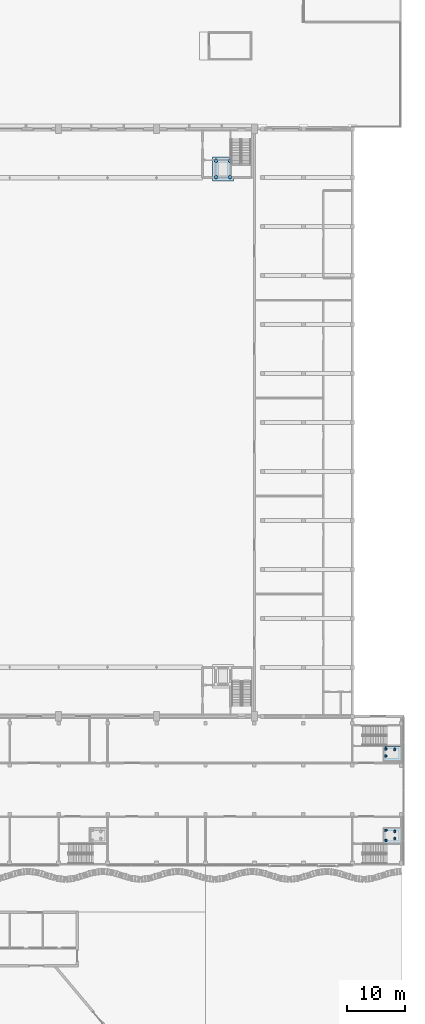
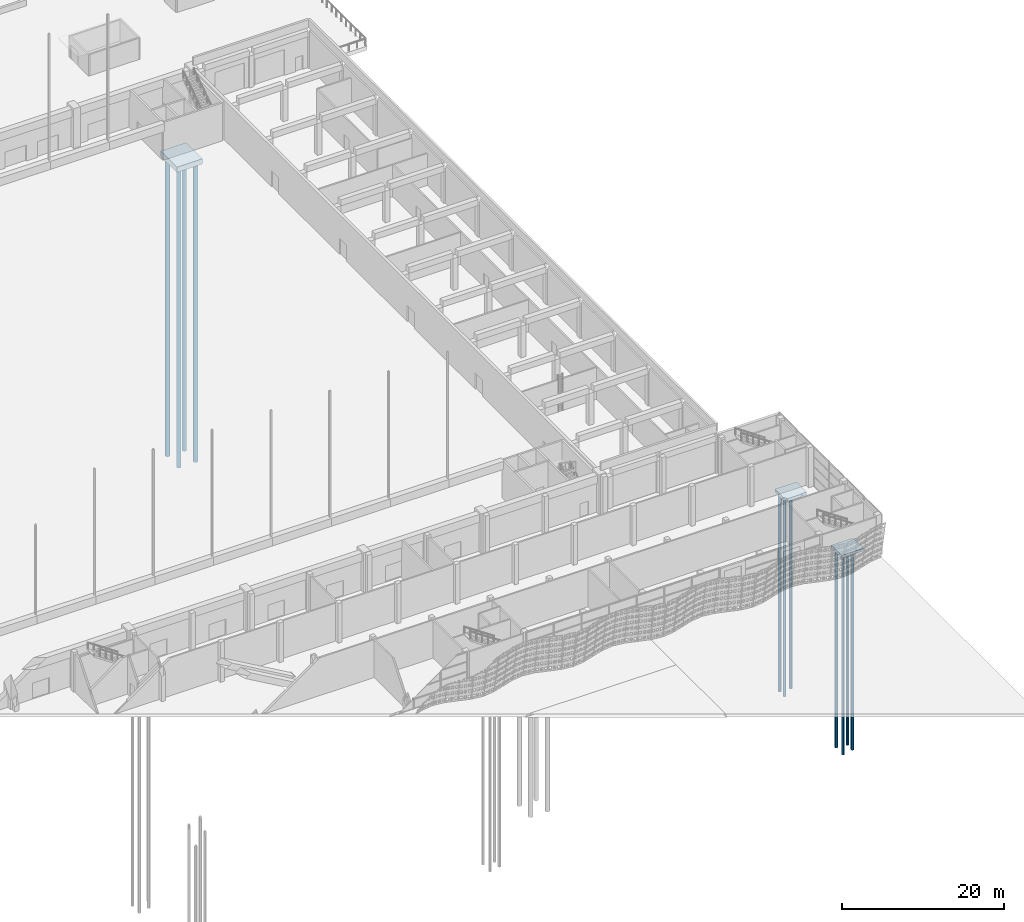
# One storey, part 4 of 210: 11 piles, 3 footings.
"""IFC4 building model written with IfcOpenShell, lengths in metres."""

from ifc_helpers import new_model, si_unit, direction, frame, origin, origin_2d, place, context, subcontext, project, spatial, polyline, circle, outline, extrude, material, material_profile, profile_set, type_object, element, save


model = new_model("IFC4")

# Units and contexts
model_context = context("Model", 3, precision=1e-05, world=origin(), true_north=direction((0.0, 1.0)))
body_context = subcontext(model_context, "Body", "Model", "MODEL_VIEW")
ifc_project = project(units=[si_unit("LENGTHUNIT", "METRE"), si_unit("AREAUNIT", "SQUARE_METRE"), si_unit("VOLUMEUNIT", "CUBIC_METRE"), si_unit("PLANEANGLEUNIT", "RADIAN"), si_unit("MASSUNIT", "GRAM", prefix="KILO")], contexts=[model_context])

# Site, building, storey
site_placement = place(None, origin())
site = spatial("IfcSite", under=ifc_project, at=site_placement, CompositionType="ELEMENT")
building_placement = place(site_placement, origin())
building = spatial("IfcBuilding", under=site, at=building_placement, Name="Rain Tree Exposition and Congress Centre", CompositionType="ELEMENT")
storey_placement = place(building_placement, origin())
storey = spatial("IfcBuildingStorey", under=building, at=storey_placement, Name="L00", CompositionType="ELEMENT", Elevation=0.0)

# Piles
ifc_material_1 = material(Name="Concrete C35/45", Category="concrete")
ifc_material_profile_1 = material_profile(ifc_material_1, circle(Radius=0.199951171875, at=origin_2d()), Name="D400")
ifc_profile_set_1 = profile_set([ifc_material_profile_1], Name="Concrete C35/45")
pile_type_1 = type_object("IfcPileType", Name="Bored pile D400", PredefinedType="BORED", material=ifc_profile_set_1)
for number, where, z_axis, x_axis, name in (
    (1, (266.14990234375, 79.550048828125, -1.800048828125), (0.0, 0.0, -1.0), (1.0, 0.0, 0.0), "Lift C6 pit pile 1"),
    (2, (266.14990234375, 81.25, -1.800048828125), (0.0, 0.0, -1.0), (1.0, 0.0, 0.0), "Lift C6 pit pile 2"),
    (3, (267.64990234375, 79.85009765625, -1.800048828125), (0.0, 0.0, -1.0), (1.0, 0.0, 0.0), "Lift C6 pit pile 3"),
    (4, (267.64990234375, 81.050048828125, -1.800048828125), (0.0, 0.0, -1.0), (1.0, 0.0, 0.0), "Lift C6 pit pile 4"),
    (5, (266.14990234375, 94.0, -1.800048828125), (0.0, 0.0, -1.0), (1.0, 0.0, 0.0), "Lift C12 pit pile 1"),
    (6, (266.14990234375, 95.199951171875, -1.800048828125), (0.0, 0.0, -1.0), (1.0, 0.0, 0.0), "Lift C12 pit pile 2"),
    (7, (267.64990234375, 95.10009765625, -1.800048828125), (0.0, 0.0, -1.0), (1.0, 0.0, 0.0), "Lift C12 pit pile 3"),
):
    element("IfcPile", number, at=place(storey_placement, frame(where, z_axis=z_axis, x_axis=x_axis)), inside=storey, type_object=pile_type_1, Name=name, PredefinedType="BORED", context=body_context, shape_type="SweptSolid", body=[
        extrude(circle(Radius=0.199951171875, at=origin_2d()), origin(), (0.0, 0.0, 1.0), 30.0),
    ])

# Footings
ifc_material_2 = material(Name="Concrete C40/50", Category="concrete")
footing_type_1 = type_object("IfcFootingType", Name="Concourse lift pit raft 400", PredefinedType="PAD_FOOTING", material=ifc_material_2)
footing_1_placement = place(storey_placement, frame((0.0, 0.0, -1.800048828125)))
element("IfcFooting", 8, at=footing_1_placement, inside=storey, type_object=footing_type_1, Name="Lift C6 pit raft", PredefinedType="PAD_FOOTING", context=body_context, shape_type="SweptSolid", body=[
    extrude(outline(polyline([(265.699951171875, 79.10009765625), (268.800048828125, 79.10009765625), (268.800048828125, 81.699951171875), (265.699951171875, 81.699951171875), (265.699951171875, 79.10009765625)])), origin(), (0.0, 0.0, 1.0), 0.400146484375),
])
footing_2_placement = place(storey_placement, frame((0.0, 0.0, -1.800048828125)))
element("IfcFooting", 9, at=footing_2_placement, inside=storey, type_object=footing_type_1, Name="Lift C12 pit raft", PredefinedType="PAD_FOOTING", context=body_context, shape_type="SweptSolid", body=[
    extrude(outline(polyline([(265.699951171875, 93.050048828125), (265.699951171875, 95.64990234375), (268.800048828125, 95.64990234375), (268.800048828125, 93.1201171875), (268.080078125, 93.1201171875), (268.080078125, 93.050048828125), (265.699951171875, 93.050048828125)])), origin(), (0.0, 0.0, 1.0), 0.400146484375),
])

# Piles
ifc_material_3 = material(Name="Concrete C35/45", Category="concrete")
ifc_material_profile_2 = material_profile(ifc_material_3, circle(Radius=0.300048828125, at=origin_2d()), Name="D600")
ifc_profile_set_2 = profile_set([ifc_material_profile_2], Name="Concrete C35/45")
pile_type_2 = type_object("IfcPileType", Name="Lift pit bored pile D600", PredefinedType="BORED", material=ifc_profile_set_2)
for number, where, z_axis, x_axis, name in (
    (10, (237.0, 193.300048828125, -2.199951171875), (0.0, 0.0, -1.0), (1.0, 0.0, 0.0), "Lift pit pile 8.1"),
    (11, (237.0, 196.10009765625, -2.199951171875), (0.0, 0.0, -1.0), (1.0, 0.0, 0.0), "Lift pit pile 8.2"),
    (12, (239.39990234375, 193.300048828125, -2.199951171875), (0.0, 0.0, -1.0), (1.0, 0.0, 0.0), "Lift pit pile 8.3"),
    (13, (239.39990234375, 196.10009765625, -2.199951171875), (0.0, 0.0, -1.0), (1.0, 0.0, 0.0), "Lift pit pile 8.4"),
):
    element("IfcPile", number, at=place(storey_placement, frame(where, z_axis=z_axis, x_axis=x_axis)), inside=storey, type_object=pile_type_2, Name=name, PredefinedType="BORED", context=body_context, shape_type="SweptSolid", body=[
        extrude(circle(Radius=0.300048828125, at=origin_2d()), origin(), (0.0, 0.0, 1.0), 45.0),
    ])

# Footing
ifc_material_4 = material(Name="Concrete C35/45", Category="concrete")
footing_type_2 = type_object("IfcFootingType", Name="Lift pit raft cap 800 thick", PredefinedType="PILE_CAP", material=ifc_material_4)
footing_3_placement = place(storey_placement, frame((0.0, 0.0, -2.199951171875)))
element("IfcFooting", 14, at=footing_3_placement, inside=storey, type_object=footing_type_2, Name="Lift pit raft cap 8", PredefinedType="PILE_CAP", context=body_context, shape_type="SweptSolid", body=[
    extrude(outline(polyline([(236.375, 192.675048828125), (240.02490234375, 192.675048828125), (240.02490234375, 196.72509765625), (236.375, 196.72509765625), (236.375, 192.675048828125)])), origin(), (0.0, 0.0, 1.0), 0.800048828125),
])

save(model, "model.ifc")
